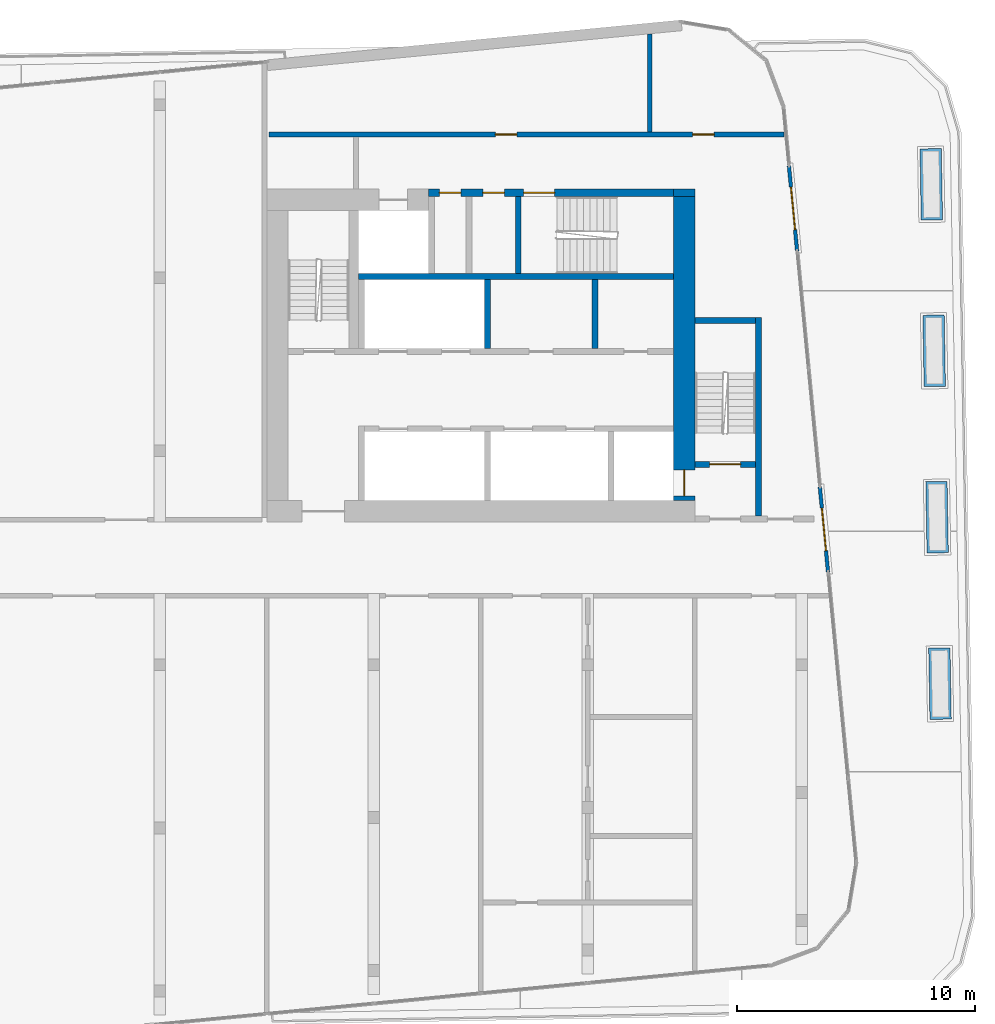
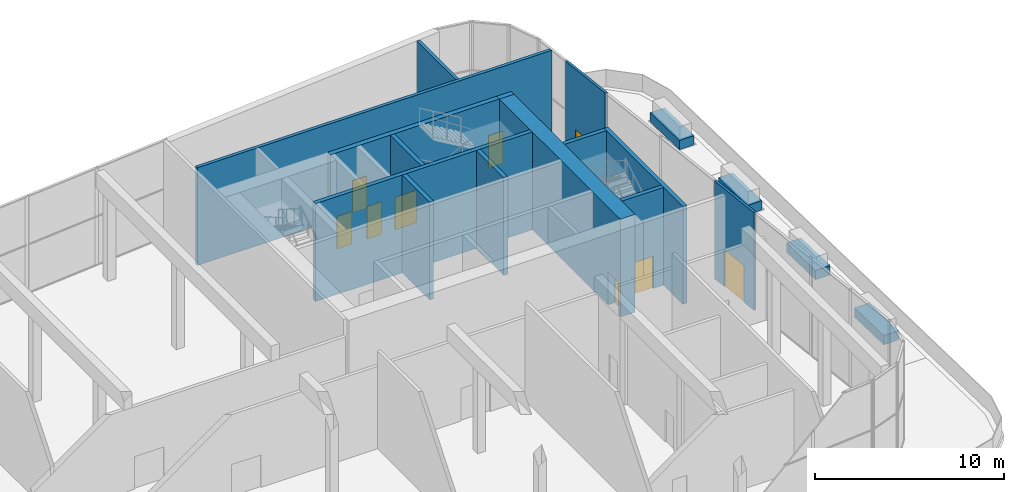
# One storey, part 15 of 24: 18 walls, 9 doors, 9 openings.
"""IFC4 building model written with IfcOpenShell, lengths in metres."""

from ifc_helpers import new_model, si_unit, direction, frame, frame_2d, origin, place, context, subcontext, project, spatial, rectangle, extrude, material, layer, layer_set, type_object, element, fill, save


model = new_model("IFC4")

# Units and contexts
model_context = context("Model", 3, precision=1e-05, world=origin(), true_north=direction((0.0, 1.0)))
body_context = subcontext(model_context, "Body", "Model", "MODEL_VIEW")
ifc_project = project(units=[si_unit("LENGTHUNIT", "METRE"), si_unit("AREAUNIT", "SQUARE_METRE"), si_unit("VOLUMEUNIT", "CUBIC_METRE"), si_unit("PLANEANGLEUNIT", "RADIAN"), si_unit("MASSUNIT", "GRAM", prefix="KILO")], contexts=[model_context])

# Site, building, storey
site_placement = place(None, origin())
site = spatial("IfcSite", under=ifc_project, at=site_placement, CompositionType="ELEMENT")
building_placement = place(site_placement, origin())
building = spatial("IfcBuilding", under=site, at=building_placement, Name="Kajstack Hotel Tower", CompositionType="ELEMENT")
storey_placement = place(building_placement, frame((0.0, 0.0, 261.89990234375)))
storey = spatial("IfcBuildingStorey", under=building, at=storey_placement, Name="L65", CompositionType="ELEMENT", Elevation=261.89990234375)

# Wall
ifc_material_1 = material(Name="Concrete C60/75", Category="concrete")
ifc_layer_1 = layer(ifc_material_1, 0.89990234375)
ifc_layer_set_1 = layer_set([ifc_layer_1], Name="Core wall 900")
wall_type_1 = type_object("IfcWallType", Name="Core wall 900", PredefinedType="SHEAR", material=ifc_layer_set_1)
wall_1_placement = place(storey_placement, frame((30.60009765625, 15.35009765625, 0.0), z_axis=(0.0, 0.0, 1.0), x_axis=(1.0, 0.0, 0.0)))
element("IfcWall", 1, at=wall_1_placement, inside=storey, type_object=wall_type_1, Name="Core wall E RSW", PredefinedType="SHEAR", context=body_context, shape_type="SweptSolid", body=[
    extrude(rectangle(XDim=0.89990234375, YDim=0.300048828125, at=frame_2d((0.449951171875, 0.0))), origin(), (0.0, 0.0, 1.0), 6.320068359375),
])

# Wall, opening, door
wall_2_placement = place(storey_placement, frame((31.050048828125, 2.39990234375, 0.0), z_axis=(0.0, 0.0, 1.0), x_axis=(0.0, 1.0, 0.0)))
wall_2 = element("IfcWall", 2, at=wall_2_placement, inside=storey, type_object=wall_type_1, Name="Core wall E RW", PredefinedType="SHEAR", context=body_context, shape_type="SweptSolid", body=[
    extrude(rectangle(XDim=12.800048828125, YDim=0.89990234375, at=frame_2d((6.39990234375, 0.0))), origin(), (0.0, 0.0, 1.0), 6.320068359375),
])
opening_1_placement = place(wall_2_placement, frame((0.199951171875, 0.0, 0.0)))
opening_1 = element("IfcOpeningElement", 3, at=opening_1_placement, cuts=wall_2, Name="Opening LD-FF2", PredefinedType="OPENING", context=body_context, shape_type="SweptSolid", body=[
    extrude(rectangle(XDim=1.10009765625, YDim=2.10009765625, at=frame_2d((0.550048828125, 1.050048828125))), frame((0.0, 0.4599609375, 0.0), z_axis=(0.0, -1.0, 0.0), x_axis=(1.0, 0.0, 0.0)), (0.0, 0.0, 1.0), 0.919921875),
])
ifc_material_2 = material(Name="Stainless steel", Category="steel")
door_type_1 = type_object("IfcDoorType", Name="Fire-fighting lift landing door 1100", OperationType="SLIDING_TO_LEFT", PredefinedType="DOOR", material=ifc_material_2)
door_1_placement = place(opening_1_placement, origin())
door_1 = element("IfcDoor", 4, at=door_1_placement, inside=storey, type_object=door_type_1, Name="Landing door FF2", OperationType="SLIDING_TO_LEFT", OverallHeight=2.10009765625, OverallWidth=1.10009765625, PredefinedType="DOOR", context=body_context, shape_type="SweptSolid", body=[
    extrude(rectangle(XDim=1.10009765625, YDim=2.10009765625, at=frame_2d((0.550048828125, 1.050048828125))), frame((0.0, 0.02490234375, 0.0), z_axis=(0.0, -1.0, 0.0), x_axis=(1.0, 0.0, 0.0)), (0.0, 0.0, 1.0), 0.050048828125),
])
fill(opening_1, door_1)

ifc_material_3 = material(Name="Aluminium", Category="aluminium")
ifc_layer_2 = layer(ifc_material_3, 0.14990234375)
ifc_layer_set_2 = layer_set([ifc_layer_2], Name="EW-FRAME")
wall_type_2 = type_object("IfcWallType", Name="EW-FRAME", PredefinedType="SOLIDWALL", material=ifc_layer_set_2)
wall_3_placement = place(storey_placement, frame((37.1025390625, -0.598876953125, 0.0), z_axis=(0.0, 0.0, 1.0), x_axis=(-0.095823535273, 0.995398337395, 0.0)))
wall_3 = element("IfcWall", 5, at=wall_3_placement, inside=storey, type_object=wall_type_2, Name="E-wall-L65-08-01", PredefinedType="SOLIDWALL", context=body_context, shape_type="SweptSolid", body=[
    extrude(rectangle(XDim=3.60009765625, YDim=0.14990234375, at=frame_2d((1.800048828125, 0.0))), origin(), (0.0, 0.0, 1.0), 6.320068359375),
])
opening_2_placement = place(wall_3_placement, frame((0.89990234375, 0.0, 0.0)))
opening_2 = element("IfcOpeningElement", 6, at=opening_2_placement, cuts=wall_3, Name="Opening TD1", PredefinedType="OPENING", context=body_context, shape_type="SweptSolid", body=[
    extrude(rectangle(XDim=1.800048828125, YDim=2.39990234375, at=frame_2d((0.89990234375, 1.199951171875))), frame((0.0, 0.0849609375, 0.0), z_axis=(0.0, -1.0, 0.0), x_axis=(1.0, 0.0, 0.0)), (0.0, 0.0, 1.0), 0.169921875),
])
ifc_material_4 = material(Name="Timber-aluminium door", Category="wood")
door_type_2 = type_object("IfcDoorType", Name="DOOR-TERRACE", OperationType="DOUBLE_DOOR_SINGLE_SWING", PredefinedType="DOOR", material=ifc_material_4)
door_2_placement = place(opening_2_placement, origin())
door_2 = element("IfcDoor", 7, at=door_2_placement, inside=storey, type_object=door_type_2, Name="Terrace door L65-08", OperationType="SINGLE_SWING_LEFT", OverallHeight=2.39990234375, OverallWidth=1.800048828125, PredefinedType="DOOR", context=body_context, shape_type="SweptSolid", body=[
    extrude(rectangle(XDim=1.800048828125, YDim=2.39990234375, at=frame_2d((0.89990234375, 1.199951171875))), frame((0.0, 0.02490234375, 0.0), z_axis=(0.0, -1.0, 0.0), x_axis=(1.0, 0.0, 0.0)), (0.0, 0.0, 1.0), 0.050048828125),
])
fill(opening_2, door_2)

wall_4_placement = place(storey_placement, frame((35.802734375, 12.901123046875, 0.0), z_axis=(0.0, 0.0, 1.0), x_axis=(-0.095823535273, 0.995398337395, 0.0)))
wall_4 = element("IfcWall", 8, at=wall_4_placement, inside=storey, type_object=wall_type_2, Name="E-wall-L65-08-03", PredefinedType="SOLIDWALL", context=body_context, shape_type="SweptSolid", body=[
    extrude(rectangle(XDim=3.60009765625, YDim=0.14990234375, at=frame_2d((1.800048828125, 0.0))), origin(), (0.0, 0.0, 1.0), 6.320068359375),
])
opening_3_placement = place(wall_4_placement, frame((0.89990234375, 0.0, 0.0)))
opening_3 = element("IfcOpeningElement", 9, at=opening_3_placement, cuts=wall_4, Name="Opening TD1", PredefinedType="OPENING", context=body_context, shape_type="SweptSolid", body=[
    extrude(rectangle(XDim=1.800048828125, YDim=2.39990234375, at=frame_2d((0.89990234375, 1.199951171875))), frame((0.0, 0.0849609375, 0.0), z_axis=(0.0, -1.0, 0.0), x_axis=(1.0, 0.0, 0.0)), (0.0, 0.0, 1.0), 0.169921875),
])
door_3_placement = place(opening_3_placement, origin())
door_3 = element("IfcDoor", 10, at=door_3_placement, inside=storey, type_object=door_type_2, Name="Terrace door L65-08", OperationType="SINGLE_SWING_LEFT", OverallHeight=2.39990234375, OverallWidth=1.800048828125, PredefinedType="DOOR", context=body_context, shape_type="SweptSolid", body=[
    extrude(rectangle(XDim=1.800048828125, YDim=2.39990234375, at=frame_2d((0.89990234375, 1.199951171875))), frame((0.0, 0.02490234375, 0.0), z_axis=(0.0, -1.0, 0.0), x_axis=(1.0, 0.0, 0.0)), (0.0, 0.0, 1.0), 0.050048828125),
])
fill(opening_3, door_3)

# Walls
ifc_material_5 = material(Name="Concrete C50/60", Category="concrete")
ifc_layer_3 = layer(ifc_material_5, 0.300048828125)
ifc_layer_set_3 = layer_set([ifc_layer_3], Name="Hoistway divider wall 300")
wall_type_3 = type_object("IfcWallType", Name="Hoistway divider wall 300", PredefinedType="SHEAR", material=ifc_layer_set_3)
wall_5_placement = place(storey_placement, frame((22.77490234375, 8.800048828125, 0.0), z_axis=(0.0, 0.0, 1.0), x_axis=(0.0, 1.0, 0.0)))
element("IfcWall", 11, at=wall_5_placement, inside=storey, type_object=wall_type_3, Name="Core wall E BP2", PredefinedType="SHEAR", context=body_context, shape_type="SweptSolid", body=[
    extrude(rectangle(XDim=2.89990234375, YDim=0.25, at=frame_2d((1.449951171875, 0.0))), origin(), (0.0, 0.0, 1.0), 6.320068359375),
])
ifc_material_6 = material(Name="Concrete C30/37", Category="concrete")
ifc_layer_4 = layer(ifc_material_6, 0.89990234375)
ifc_layer_set_4 = layer_set([ifc_layer_4], Name="PLANTER-WALL")
wall_type_4 = type_object("IfcWallType", Name="PLANTER-WALL", PredefinedType="SOLIDWALL", material=ifc_layer_set_4)
for number, where, z_axis, x_axis, name in (
    (12, (41.417724609375, 17.201904296875, 0.0), (0.0, 0.0, 1.0), (0.017496914147, -0.99984691728, 0.0), "PLANTER L65-02-01"),
    (13, (41.5400390625, 10.202880859375, 0.0), (0.0, 0.0, 1.0), (0.017415557892, -0.999848337671, 0.0), "PLANTER L65-02-02"),
    (14, (41.662109375, 3.2041015625, 0.0), (0.0, 0.0, 1.0), (0.017496914147, -0.99984691728, 0.0), "PLANTER L65-02-03"),
    (15, (41.784423828125, -3.794921875, 0.0), (0.0, 0.0, 1.0), (0.017415557892, -0.999848337671, 0.0), "PLANTER L65-02-04"),
):
    element("IfcWall", number, at=place(storey_placement, frame(where, z_axis=z_axis, x_axis=x_axis)), inside=storey, type_object=wall_type_4, Name=name, PredefinedType="SOLIDWALL", context=body_context, shape_type="SweptSolid", body=[
        extrude(rectangle(XDim=3.0, YDim=0.89990234375, at=frame_2d((1.5, 0.0))), origin(), (0.0, 0.0, 1.0), 0.60009765625),
    ])
ifc_material_7 = material(Name="Concrete block masonry", Category="masonry")
ifc_layer_5 = layer(ifc_material_7, 0.25)
ifc_layer_set_5 = layer_set([ifc_layer_5], Name="Riser partition 250")
wall_type_5 = type_object("IfcWallType", Name="Riser partition 250", PredefinedType="PARTITIONING", material=ifc_layer_set_5)
wall_6_placement = place(storey_placement, frame((27.300048828125, 8.800048828125, 0.0), z_axis=(0.0, 0.0, 1.0), x_axis=(0.0, 1.0, 0.0)))
element("IfcWall", 16, at=wall_6_placement, inside=storey, type_object=wall_type_5, Name="Partition E BF0", PredefinedType="PARTITIONING", context=body_context, shape_type="SweptSolid", body=[
    extrude(rectangle(XDim=2.89990234375, YDim=0.25, at=frame_2d((1.449951171875, 0.0))), origin(), (0.0, 0.0, 1.0), 6.320068359375),
])

# Wall, openings, doors
ifc_material_8 = material(Name="Gypsum board on steel studs, mineral wool", Category="steel")
ifc_layer_6 = layer(ifc_material_8, 0.199951171875)
ifc_layer_set_6 = layer_set([ifc_layer_6], Name="Service partition 200")
wall_type_6 = type_object("IfcWallType", Name="Service partition 200", PredefinedType="PARTITIONING", material=ifc_layer_set_6)
wall_7_placement = place(storey_placement, frame((13.60009765625, 17.800048828125, 0.0), z_axis=(0.0, 0.0, 1.0), x_axis=(1.0, 0.0, 0.0)))
wall_7 = element("IfcWall", 17, at=wall_7_placement, inside=storey, type_object=wall_type_6, Name="Partition E SLN", PredefinedType="PARTITIONING", context=body_context, shape_type="SweptSolid", body=[
    extrude(rectangle(XDim=21.655517578125, YDim=0.199951171875, at=frame_2d((10.82763671875, 0.0))), origin(), (0.0, 0.0, 1.0), 6.320068359375),
])
opening_4_placement = place(wall_7_placement, frame((17.8125, 0.0, 0.0)))
opening_4 = element("IfcOpeningElement", 18, at=opening_4_placement, cuts=wall_7, Name="Opening 65E19", PredefinedType="OPENING", context=body_context, shape_type="SweptSolid", body=[
    extrude(rectangle(XDim=0.89990234375, YDim=2.10009765625, at=frame_2d((0.449951171875, 1.050048828125))), frame((0.0, 0.10986328125, 0.0), z_axis=(0.0, -1.0, 0.0), x_axis=(1.0, 0.0, 0.0)), (0.0, 0.0, 1.0), 0.219970703125),
])
opening_5_placement = place(wall_7_placement, frame((9.512451171875, 0.0, 0.0)))
opening_5 = element("IfcOpeningElement", 19, at=opening_5_placement, cuts=wall_7, Name="Opening 65E20", PredefinedType="OPENING", context=body_context, shape_type="SweptSolid", body=[
    extrude(rectangle(XDim=0.89990234375, YDim=2.10009765625, at=frame_2d((0.449951171875, 1.050048828125))), frame((0.0, 0.10986328125, 0.0), z_axis=(0.0, -1.0, 0.0), x_axis=(1.0, 0.0, 0.0)), (0.0, 0.0, 1.0), 0.219970703125),
])
ifc_material_9 = material(Name="Timber leaf, fire-rated", Category="wood")
door_type_3 = type_object("IfcDoorType", Name="Service door 900", OperationType="SINGLE_SWING_LEFT", PredefinedType="DOOR", material=ifc_material_9)
door_4_placement = place(opening_4_placement, origin())
door_4 = element("IfcDoor", 20, at=door_4_placement, inside=storey, type_object=door_type_3, Name="Door 65E19", OperationType="SINGLE_SWING_LEFT", OverallHeight=2.10009765625, OverallWidth=0.89990234375, PredefinedType="DOOR", context=body_context, shape_type="SweptSolid", body=[
    extrude(rectangle(XDim=0.89990234375, YDim=2.10009765625, at=frame_2d((0.449951171875, 1.050048828125))), frame((0.0, 0.02490234375, 0.0), z_axis=(0.0, -1.0, 0.0), x_axis=(1.0, 0.0, 0.0)), (0.0, 0.0, 1.0), 0.050048828125),
])
fill(opening_4, door_4)
door_5_placement = place(opening_5_placement, origin())
door_5 = element("IfcDoor", 21, at=door_5_placement, inside=storey, type_object=door_type_3, Name="Door 65E20", OperationType="SINGLE_SWING_LEFT", OverallHeight=2.10009765625, OverallWidth=0.89990234375, PredefinedType="DOOR", context=body_context, shape_type="SweptSolid", body=[
    extrude(rectangle(XDim=0.89990234375, YDim=2.10009765625, at=frame_2d((0.449951171875, 1.050048828125))), frame((0.0, 0.02490234375, 0.0), z_axis=(0.0, -1.0, 0.0), x_axis=(1.0, 0.0, 0.0)), (0.0, 0.0, 1.0), 0.050048828125),
])
fill(opening_5, door_5)

# Wall
wall_8_placement = place(storey_placement, frame((29.60009765625, 17.89990234375, 0.0), z_axis=(0.0, 0.0, 1.0), x_axis=(0.0, 1.0, 0.0)))
element("IfcWall", 22, at=wall_8_placement, inside=storey, type_object=wall_type_6, Name="Partition E SLP0", PredefinedType="PARTITIONING", context=body_context, shape_type="SweptSolid", body=[
    extrude(rectangle(XDim=4.135986328125, YDim=0.199951171875, at=frame_2d((2.06787109375, 0.0))), origin(), (0.0, 0.0, 1.0), 6.320068359375),
])

# Wall, openings, doors
ifc_layer_7 = layer(ifc_material_5, 0.25)
ifc_layer_set_7 = layer_set([ifc_layer_7], Name="Shaft wall 250")
wall_type_7 = type_object("IfcWallType", Name="Shaft wall 250", PredefinedType="SHEAR", material=ifc_layer_set_7)
wall_9_placement = place(storey_placement, frame((20.300048828125, 15.35009765625, 0.0), z_axis=(0.0, 0.0, 1.0), x_axis=(1.0, 0.0, 0.0)))
wall_9 = element("IfcWall", 23, at=wall_9_placement, inside=storey, type_object=wall_type_7, Name="Core wall E RSS", PredefinedType="SHEAR", context=body_context, shape_type="SweptSolid", body=[
    extrude(rectangle(XDim=10.300048828125, YDim=0.300048828125, at=frame_2d((5.14990234375, 0.0))), origin(), (0.0, 0.0, 1.0), 6.320068359375),
])
opening_6_placement = place(wall_9_placement, frame((4.0, 0.0, 0.0)))
opening_6 = element("IfcOpeningElement", 24, at=opening_6_placement, cuts=wall_9, Name="Opening 65E14", PredefinedType="OPENING", context=body_context, shape_type="SweptSolid", body=[
    extrude(rectangle(XDim=1.300048828125, YDim=2.10009765625, at=frame_2d((0.64990234375, 1.050048828125))), frame((0.0, 0.159912109375, 0.0), z_axis=(0.0, -1.0, 0.0), x_axis=(1.0, 0.0, 0.0)), (0.0, 0.0, 1.0), 0.320068359375),
])
opening_7_placement = place(wall_9_placement, frame((2.28759765625, 0.0, 0.0)))
opening_7 = element("IfcOpeningElement", 25, at=opening_7_placement, cuts=wall_9, Name="Opening 65E15", PredefinedType="OPENING", context=body_context, shape_type="SweptSolid", body=[
    extrude(rectangle(XDim=0.89990234375, YDim=2.10009765625, at=frame_2d((0.449951171875, 1.050048828125))), frame((0.0, 0.159912109375, 0.0), z_axis=(0.0, -1.0, 0.0), x_axis=(1.0, 0.0, 0.0)), (0.0, 0.0, 1.0), 0.320068359375),
])
opening_8_placement = place(wall_9_placement, frame((0.46240234375, 0.0, 0.0)))
opening_8 = element("IfcOpeningElement", 26, at=opening_8_placement, cuts=wall_9, Name="Opening 65E16", PredefinedType="OPENING", context=body_context, shape_type="SweptSolid", body=[
    extrude(rectangle(XDim=0.89990234375, YDim=2.10009765625, at=frame_2d((0.449951171875, 1.050048828125))), frame((0.0, 0.159912109375, 0.0), z_axis=(0.0, -1.0, 0.0), x_axis=(1.0, 0.0, 0.0)), (0.0, 0.0, 1.0), 0.320068359375),
])
door_6_placement = place(opening_7_placement, origin())
door_6 = element("IfcDoor", 27, at=door_6_placement, inside=storey, type_object=door_type_3, Name="Door 65E15", OperationType="SINGLE_SWING_RIGHT", OverallHeight=2.10009765625, OverallWidth=0.89990234375, PredefinedType="DOOR", context=body_context, shape_type="SweptSolid", body=[
    extrude(rectangle(XDim=0.89990234375, YDim=2.10009765625, at=frame_2d((0.449951171875, 1.050048828125))), frame((0.0, 0.02490234375, 0.0), z_axis=(0.0, -1.0, 0.0), x_axis=(1.0, 0.0, 0.0)), (0.0, 0.0, 1.0), 0.050048828125),
])
fill(opening_7, door_6)
door_7_placement = place(opening_8_placement, origin())
door_7 = element("IfcDoor", 28, at=door_7_placement, inside=storey, type_object=door_type_3, Name="Door 65E16", OperationType="SINGLE_SWING_RIGHT", OverallHeight=2.10009765625, OverallWidth=0.89990234375, PredefinedType="DOOR", context=body_context, shape_type="SweptSolid", body=[
    extrude(rectangle(XDim=0.89990234375, YDim=2.10009765625, at=frame_2d((0.449951171875, 1.050048828125))), frame((0.0, 0.02490234375, 0.0), z_axis=(0.0, -1.0, 0.0), x_axis=(1.0, 0.0, 0.0)), (0.0, 0.0, 1.0), 0.050048828125),
])
fill(opening_8, door_7)
ifc_material_10 = material(Name="Steel leaf, fire-rated", Category="steel")
door_type_4 = type_object("IfcDoorType", Name="Stair door 1300", OperationType="SINGLE_SWING_LEFT", PredefinedType="DOOR", material=ifc_material_10)
door_8_placement = place(opening_6_placement, origin())
door_8 = element("IfcDoor", 29, at=door_8_placement, inside=storey, type_object=door_type_4, Name="Door 65E14", OperationType="SINGLE_SWING_LEFT", OverallHeight=2.10009765625, OverallWidth=1.300048828125, PredefinedType="DOOR", context=body_context, shape_type="SweptSolid", body=[
    extrude(rectangle(XDim=1.300048828125, YDim=2.10009765625, at=frame_2d((0.64990234375, 1.050048828125))), frame((0.0, 0.02490234375, 0.0), z_axis=(0.0, -1.0, 0.0), x_axis=(1.0, 0.0, 0.0)), (0.0, 0.0, 1.0), 0.050048828125),
])
fill(opening_6, door_8)

# Wall
wall_10_placement = place(storey_placement, frame((17.35009765625, 11.824951171875, 0.0), z_axis=(0.0, 0.0, 1.0), x_axis=(1.0, 0.0, 0.0)))
element("IfcWall", 30, at=wall_10_placement, inside=storey, type_object=wall_type_7, Name="Core wall E RB", PredefinedType="SHEAR", context=body_context, shape_type="SweptSolid", body=[
    extrude(rectangle(XDim=13.25, YDim=0.25, at=frame_2d((6.625, 0.0))), origin(), (0.0, 0.0, 1.0), 6.320068359375),
])

# Wall, opening, door
ifc_material_11 = material(Name="Concrete C40/50", Category="concrete")
ifc_layer_8 = layer(ifc_material_11, 0.25)
ifc_layer_set_8 = layer_set([ifc_layer_8], Name="Stair enclosure wall 250")
wall_type_8 = type_object("IfcWallType", Name="Stair enclosure wall 250", PredefinedType="SHEAR", material=ifc_layer_set_8)
wall_11_placement = place(storey_placement, frame((31.5, 3.925048828125, 0.0), z_axis=(0.0, 0.0, 1.0), x_axis=(1.0, 0.0, 0.0)))
wall_11 = element("IfcWall", 31, at=wall_11_placement, inside=storey, type_object=wall_type_8, Name="Core wall E W1N", PredefinedType="SHEAR", context=body_context, shape_type="SweptSolid", body=[
    extrude(rectangle(XDim=2.550048828125, YDim=0.25, at=frame_2d((1.27490234375, 0.0))), origin(), (0.0, 0.0, 1.0), 6.320068359375),
])
opening_9_placement = place(wall_11_placement, frame((0.625, 0.0, 0.0)))
opening_9 = element("IfcOpeningElement", 32, at=opening_9_placement, cuts=wall_11, Name="Opening 65E11", PredefinedType="OPENING", context=body_context, shape_type="SweptSolid", body=[
    extrude(rectangle(XDim=1.300048828125, YDim=2.10009765625, at=frame_2d((0.64990234375, 1.050048828125))), frame((0.0, 0.135009765625, 0.0), z_axis=(0.0, -1.0, 0.0), x_axis=(1.0, 0.0, 0.0)), (0.0, 0.0, 1.0), 0.27001953125),
])
door_9_placement = place(opening_9_placement, origin())
door_9 = element("IfcDoor", 33, at=door_9_placement, inside=storey, type_object=door_type_4, Name="Door 65E11", OperationType="SINGLE_SWING_LEFT", OverallHeight=2.10009765625, OverallWidth=1.300048828125, PredefinedType="DOOR", context=body_context, shape_type="SweptSolid", body=[
    extrude(rectangle(XDim=1.300048828125, YDim=2.10009765625, at=frame_2d((0.64990234375, 1.050048828125))), frame((0.0, 0.02490234375, 0.0), z_axis=(0.0, -1.0, 0.0), x_axis=(1.0, 0.0, 0.0)), (0.0, 0.0, 1.0), 0.050048828125),
])
fill(opening_9, door_9)

# Walls
wall_12_placement = place(storey_placement, frame((34.175048828125, 1.75, 0.0), z_axis=(0.0, 0.0, 1.0), x_axis=(0.0, 1.0, 0.0)))
element("IfcWall", 34, at=wall_12_placement, inside=storey, type_object=wall_type_8, Name="Core wall E W1W", PredefinedType="SHEAR", context=body_context, shape_type="SweptSolid", body=[
    extrude(rectangle(XDim=8.35009765625, YDim=0.25, at=frame_2d((4.175048828125, 0.0))), origin(), (0.0, 0.0, 1.0), 6.320068359375),
])
wall_13_placement = place(storey_placement, frame((31.5, 9.97509765625, 0.0), z_axis=(0.0, 0.0, 1.0), x_axis=(1.0, 0.0, 0.0)))
element("IfcWall", 35, at=wall_13_placement, inside=storey, type_object=wall_type_8, Name="Core wall E W1S", PredefinedType="SHEAR", context=body_context, shape_type="SweptSolid", body=[
    extrude(rectangle(XDim=2.550048828125, YDim=0.25, at=frame_2d((1.27490234375, 0.0))), origin(), (0.0, 0.0, 1.0), 6.320068359375),
])
ifc_layer_9 = layer(ifc_material_5, 0.35009765625)
ifc_layer_set_9 = layer_set([ifc_layer_9], Name="Stair enclosure wall 350")
wall_type_9 = type_object("IfcWallType", Name="Stair enclosure wall 350", PredefinedType="SHEAR", material=ifc_layer_set_9)
wall_14_placement = place(storey_placement, frame((24.074951171875, 11.949951171875, 0.0), z_axis=(0.0, 0.0, 1.0), x_axis=(0.0, 1.0, 0.0)))
element("IfcWall", 36, at=wall_14_placement, inside=storey, type_object=wall_type_9, Name="Core wall E W3E", PredefinedType="SHEAR", context=body_context, shape_type="SweptSolid", body=[
    extrude(rectangle(XDim=3.25, YDim=0.25, at=frame_2d((1.625, 0.0))), origin(), (0.0, 0.0, 1.0), 6.320068359375),
])

save(model, "model.ifc")
